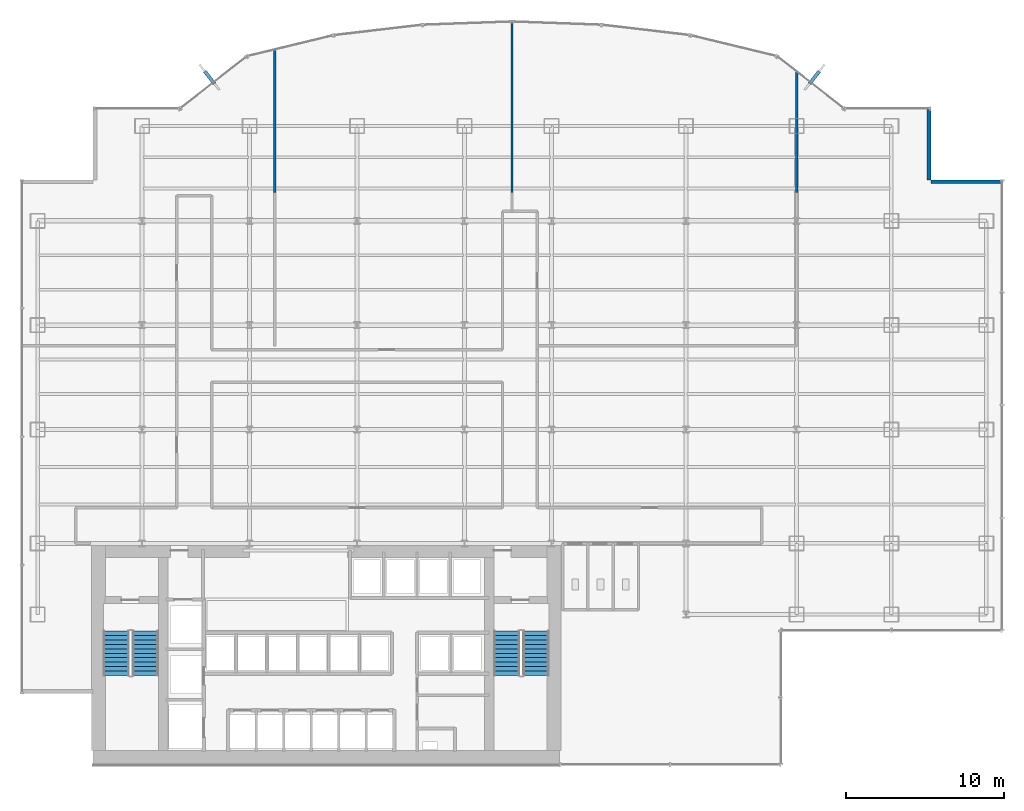
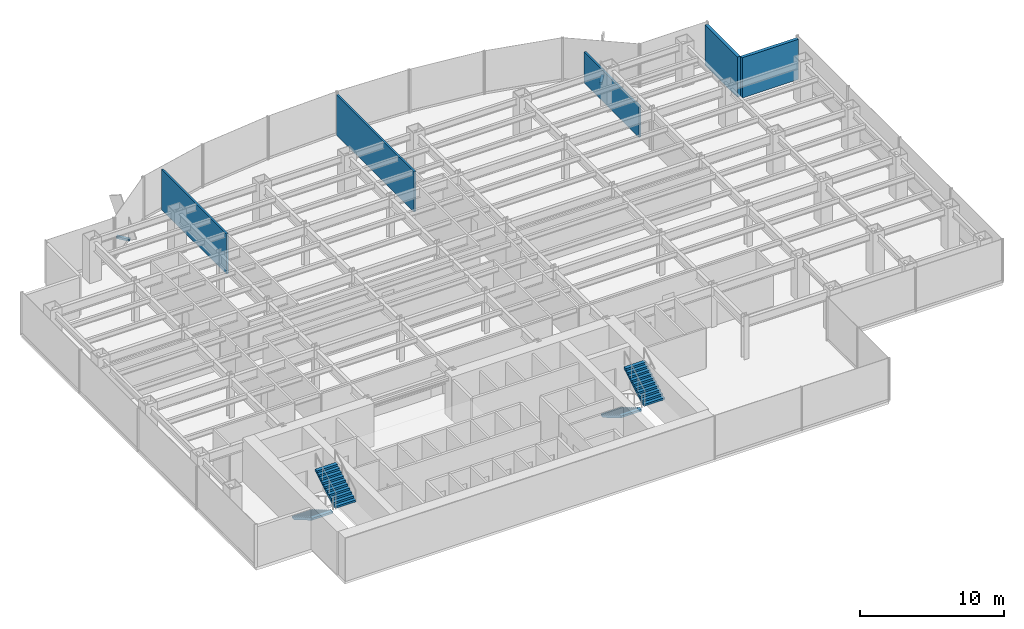
# One storey, part 20 of 23: 5 walls, 4 stair flights, 2 discrete accessories, 2 elements without a shape of their own.
"""IFC4 building model written with IfcOpenShell, lengths in metres."""

import ifcopenshell
import ifcopenshell.guid

model = None  # the IFC model being written
_history = None  # IfcOwnerHistory: only IFC2X3 demands one
_inside = {}  # id of a spatial element -> (the spatial element, [elements in it])
_under = {}  # id of a project, library or spatial element -> (it, [spatial elements below it])
_declared = {}  # id of a project -> (the project, [libraries it declares])
_typed = {}  # id of a type object -> (the type object, [elements of that type])
_made_of = {}  # id of a material, layer set ... -> (it, [elements and type objects made of it])


def new_model(schema):
    """Start an empty IFC model of exactly this schema.

    Asked for "IFC4X3", IfcOpenShell would pick the latest addendum, in which some entities
    have other attributes; the version numbers below select the first issue.
    IFC2X3 requires an IfcOwnerHistory on every rooted entity: one is made here for all.
    """
    global model, _history
    if schema == "IFC4X3":
        model = ifcopenshell.file(schema_version=(4, 3, 0, 0))
    else:
        model = ifcopenshell.file(schema=schema)
    _inside.clear()
    _under.clear()
    _declared.clear()
    _typed.clear()
    _made_of.clear()
    _history = None
    if model.schema == "IFC2X3":
        org = make("IfcOrganization", Name="unknown")
        user = make(
            "IfcPersonAndOrganization",
            ThePerson=make("IfcPerson", FamilyName="unknown"),
            TheOrganization=org,
        )
        app = make(
            "IfcApplication",
            ApplicationDeveloper=org,
            Version="unknown",
            ApplicationFullName="unknown",
            ApplicationIdentifier="unknown",
        )
        _history = make(
            "IfcOwnerHistory",
            OwningUser=user,
            OwningApplication=app,
            ChangeAction="ADDED",
            CreationDate=0,
        )
    return model


def make(cls, **values):
    """One entity of the class cls with the attributes given. An attribute that is None is left unset."""
    return model.create_entity(
        cls, **{name: value for name, value in values.items() if value is not None}
    )


def rooted(cls, **values):
    """An entity with a GlobalId (a new one), such as an element, a storey or a relation."""
    return make(cls, GlobalId=ifcopenshell.guid.new(), OwnerHistory=_history, **values)


def si_unit(unit_type, name, prefix=None):
    """IfcSIUnit, for example si_unit("LENGTHUNIT", "METRE", prefix="MILLI")."""
    return make("IfcSIUnit", UnitType=unit_type, Prefix=prefix, Name=name)


def derived_unit(unit_type, elements):
    """IfcDerivedUnit: a product of units, each with its exponent."""
    return make(
        "IfcDerivedUnit",
        Elements=[
            make("IfcDerivedUnitElement", Unit=unit, Exponent=power)
            for unit, power in elements
        ],
        UnitType=unit_type,
    )


def assignment(units):
    """IfcUnitAssignment: the units of a project."""
    return None if units is None else make("IfcUnitAssignment", Units=units)


def point(xyz):
    """IfcCartesianPoint."""
    return None if xyz is None else make("IfcCartesianPoint", Coordinates=xyz)


def direction(xyz):
    """IfcDirection."""
    return None if xyz is None else make("IfcDirection", DirectionRatios=xyz)


def frame(location, z_axis=None, x_axis=None):
    """IfcAxis2Placement3D, a coordinate frame: its origin and axes. An axis left out is left unset."""
    return make(
        "IfcAxis2Placement3D",
        Location=point(location),
        Axis=direction(z_axis),
        RefDirection=direction(x_axis),
    )


def frame_2d(location, x_axis=None):
    """IfcAxis2Placement2D, a coordinate frame in the plane: its origin and x axis."""
    return make(
        "IfcAxis2Placement2D", Location=point(location), RefDirection=direction(x_axis)
    )


def origin():
    """The frame at (0, 0, 0) with its axes left unset."""
    return frame((0.0, 0.0, 0.0))


def origin_2d():
    """The frame at (0, 0) in the plane with its x axis left unset."""
    return frame_2d((0.0, 0.0))


def place(relative_to, where):
    """IfcLocalPlacement: puts the frame where relative to a parent placement (None: the world)."""
    return make(
        "IfcLocalPlacement", PlacementRelTo=relative_to, RelativePlacement=where
    )


def context(
    kind, dimensions, precision=None, world=None, true_north=None, identifier=None
):
    """IfcGeometricRepresentationContext, for example the 3D "Model" context."""
    return make(
        "IfcGeometricRepresentationContext",
        ContextIdentifier=identifier,
        ContextType=kind,
        CoordinateSpaceDimension=dimensions,
        Precision=precision,
        WorldCoordinateSystem=world,
        TrueNorth=true_north,
    )


def subcontext(parent, identifier, kind, view, scale=None):
    """IfcGeometricRepresentationSubContext, for example "Body" below "Model"."""
    return make(
        "IfcGeometricRepresentationSubContext",
        ContextIdentifier=identifier,
        ContextType=kind,
        ParentContext=parent,
        TargetScale=scale,
        TargetView=view,
    )


def project(units=None, contexts=None):
    """IfcProject with its units and contexts."""
    return rooted(
        "IfcProject",
        Name="project",
        RepresentationContexts=contexts,
        UnitsInContext=assignment(units),
    )


def spatial(cls, under=None, at=None, **own):
    """A site, building, storey or space (cls), placed at a placement, below another one or the project."""
    s = rooted(cls, ObjectPlacement=at, **own)
    if under is not None:
        _under.setdefault(under.id(), (under, []))[1].append(s)
    return s


def polyline(points):
    """IfcPolyline through the points."""
    return make("IfcPolyline", Points=[point(p) for p in points])


def profile(cls, at=None, kind="AREA", **sizes):
    """A parametric profile (cls). Its sizes go by their IFC names, for example OverallWidth=200.0."""
    return make(cls, ProfileType=kind, Position=at, **sizes)


def rectangle(**sizes):
    """IfcRectangleProfileDef."""
    return profile("IfcRectangleProfileDef", **sizes)


def outline(outer, holes=None, kind="AREA"):
    """IfcArbitraryClosedProfileDef: a profile drawn as a closed curve; with holes, ...WithVoids."""
    if holes is None:
        return make("IfcArbitraryClosedProfileDef", ProfileType=kind, OuterCurve=outer)
    return make(
        "IfcArbitraryProfileDefWithVoids",
        ProfileType=kind,
        OuterCurve=outer,
        InnerCurves=holes,
    )


def extrude(swept, where, along, depth):
    """IfcExtrudedAreaSolid: the profile swept, set in the frame where, extruded along a direction by depth."""
    return make(
        "IfcExtrudedAreaSolid",
        SweptArea=swept,
        Position=where,
        ExtrudedDirection=direction(along),
        Depth=depth,
    )


def shape(context_of_items, identifier, shape_type, items):
    """IfcShapeRepresentation: the items that make up one representation, for example the "Body"."""
    return make(
        "IfcShapeRepresentation",
        ContextOfItems=context_of_items,
        RepresentationIdentifier=identifier,
        RepresentationType=shape_type,
        Items=items,
    )


def source(mapping_origin, context_of_items, identifier, shape_type, items):
    """IfcRepresentationMap: a shape defined once, which mapped items show again and again."""
    return make(
        "IfcRepresentationMap",
        MappingOrigin=mapping_origin,
        MappedRepresentation=shape(context_of_items, identifier, shape_type, items),
    )


def transform(
    local_origin,
    x_axis=None,
    y_axis=None,
    z_axis=None,
    scale=None,
    scale2=None,
    scale3=None,
    uniform=True,
):
    """IfcCartesianTransformationOperator3D, or its non-uniform kind. x_axis, y_axis, z_axis: its Axis1, 2, 3."""
    if uniform:
        return make(
            "IfcCartesianTransformationOperator3D",
            Axis1=direction(x_axis),
            Axis2=direction(y_axis),
            LocalOrigin=point(local_origin),
            Scale=scale,
            Axis3=direction(z_axis),
        )
    return make(
        "IfcCartesianTransformationOperator3DnonUniform",
        Axis1=direction(x_axis),
        Axis2=direction(y_axis),
        LocalOrigin=point(local_origin),
        Scale=scale,
        Axis3=direction(z_axis),
        Scale2=scale2,
        Scale3=scale3,
    )


def mapped(mapping_source, mapping_target):
    """IfcMappedItem: shows the shape of a source again, moved by a transform."""
    return make(
        "IfcMappedItem", MappingSource=mapping_source, MappingTarget=mapping_target
    )


def material(Name=None, Category=None):
    """IfcMaterial."""
    return make("IfcMaterial", Name=Name, Category=Category)


def layer(
    of_material, thickness, ventilated=None, Name=None, Category=None, Priority=None
):
    """IfcMaterialLayer: one layer of a wall or slab, of a material (None: an air gap)."""
    return make(
        "IfcMaterialLayer",
        Material=of_material,
        LayerThickness=thickness,
        IsVentilated=ventilated,
        Name=Name,
        Category=Category,
        Priority=Priority,
    )


def layer_set(layers, Name=None):
    """IfcMaterialLayerSet."""
    return make("IfcMaterialLayerSet", MaterialLayers=layers, LayerSetName=Name)


def made_of(thing, what):
    """Note that an element or type object is made of a material, layer set ...; save() writes the relation."""
    if what is not None:
        _made_of.setdefault(what.id(), (what, []))[1].append(thing)
    return thing


def type_object(cls, material=None, **own):
    """A type object (cls), such as IfcWallType, which elements share."""
    return made_of(rooted(cls, **own), material)


def element(
    cls,
    number,
    at=None,
    inside=None,
    cuts=None,
    type_object=None,
    material=None,
    context=None,
    identifier="Body",
    shape_type=None,
    held_by="IfcProductDefinitionShape",
    body=None,
    shapes=None,
    **own,
):
    """One element of the class cls, such as IfcWall. Its Tag is "e" and its number.

    at: its placement. inside: the storey or other place that contains it. cuts: it is an
    opening in that element (IfcRelVoidsElement). A single representation is given by context,
    identifier, shape_type and body (its items); several are given by shapes. held_by: the class
    of the entity that holds the representations. save() writes the other relations.
    """
    e = rooted(cls, Tag="e%d" % number, ObjectPlacement=at, **own)
    if body is not None:
        shapes = [shape(context, identifier, shape_type, body)]
    if shapes is not None:
        e.Representation = make(held_by, Representations=shapes)
    if inside is not None:
        _inside.setdefault(inside.id(), (inside, []))[1].append(e)
    if cuts is not None:
        rooted(
            "IfcRelVoidsElement", RelatingBuildingElement=cuts, RelatedOpeningElement=e
        )
    if type_object is not None:
        _typed.setdefault(type_object.id(), (type_object, []))[1].append(e)
    return made_of(e, material)


def aggregate(whole, parts):
    """IfcRelAggregates: a whole, such as a stair, and the parts it consists of."""
    return rooted("IfcRelAggregates", RelatingObject=whole, RelatedObjects=parts)


def save(model, path):
    """Write the relations noted so far, then the file.

    IfcRelAggregates (storeys below a building ...), IfcRelContainedInSpatialStructure (elements
    in a storey), IfcRelDefinesByType, IfcRelAssociatesMaterial and IfcRelDeclares: one each for
    every whole, place, type object, material and project.
    """
    for whole, parts in _under.values():
        aggregate(whole, parts)
    for where, things in _inside.values():
        rooted(
            "IfcRelContainedInSpatialStructure",
            RelatedElements=things,
            RelatingStructure=where,
        )
    for kind, things in _typed.values():
        rooted("IfcRelDefinesByType", RelatedObjects=things, RelatingType=kind)
    for what, things in _made_of.values():
        rooted("IfcRelAssociatesMaterial", RelatedObjects=things, RelatingMaterial=what)
    for by, libraries in _declared.values():
        rooted("IfcRelDeclares", RelatingContext=by, RelatedDefinitions=libraries)
    model.write(path)


model = new_model("IFC4")

# Units and contexts
model_context = context("Model", 3, precision=1e-05, world=origin(), true_north=direction((0.0, 1.0)))
body_context = subcontext(model_context, "Body", "Model", "MODEL_VIEW")
ifc_project = project(units=[si_unit("LENGTHUNIT", "METRE"), si_unit("AREAUNIT", "SQUARE_METRE"), si_unit("VOLUMEUNIT", "CUBIC_METRE"), si_unit("PLANEANGLEUNIT", "RADIAN"), si_unit("MASSUNIT", "GRAM", prefix="KILO"), derived_unit("THERMALTRANSMITTANCEUNIT", [(si_unit("POWERUNIT", "WATT"), 1), (si_unit("LENGTHUNIT", "METRE"), -2), (si_unit("THERMODYNAMICTEMPERATUREUNIT", "KELVIN"), -1)])], contexts=[model_context])

# Site, building, storey
site_placement = place(None, origin())
site = spatial("IfcSite", under=ifc_project, at=site_placement, CompositionType="ELEMENT")
building_placement = place(site_placement, origin())
building = spatial("IfcBuilding", under=site, at=building_placement, Name="Skarnbrae Concourse Arena and Tower", CompositionType="ELEMENT")
storey_placement = place(building_placement, frame((0.0, 0.0, 43.449951171875)))
storey = spatial("IfcBuildingStorey", under=building, at=storey_placement, Name="L09", CompositionType="ELEMENT", Elevation=43.449951171875)

# Walls
ifc_material_1 = material(Name="Precast concrete 40 MPa (C40/50)", Category="concrete")
ifc_layer_1 = layer(ifc_material_1, 0.25)
ifc_layer_set_1 = layer_set([ifc_layer_1], Name="Precast concrete 40 MPa (C40/50)")
wall_type_1 = type_object("IfcWallType", Name="WALL-EXT-SPANDREL-250", PredefinedType="STANDARD", material=ifc_layer_set_1)
shared_shape_1 = source(origin(), body_context, "Body", "SweptSolid", [
    extrude(rectangle(XDim=4.5, YDim=0.25, at=frame_2d((2.25, 0.0))), origin(), (0.0, 0.0, 1.0), 3.400146484375),
])
for number, where, z_axis, x_axis, name in (
    (1, (62.0, 36.875, 0.0), (0.0, 0.0, 1.0), (-1.0, 0.0, 0.0), "L09 Notched corner insulated return wall 05"),
    (2, (57.375, 37.0, 0.0), (0.0, 0.0, 1.0), (0.0, 1.0, 0.0), "L09 Notched corner insulated return wall 06"),
):
    element("IfcWall", number, at=place(storey_placement, frame(where, z_axis=z_axis, x_axis=x_axis)), inside=storey, type_object=wall_type_1, Name=name, PredefinedType="STANDARD", context=body_context, shape_type="MappedRepresentation", body=[
        mapped(shared_shape_1, transform((0.0, 0.0, 0.0))),
    ])
ifc_material_2 = material(Name="Gypsum board on cold-formed steel studs", Category="steel")
ifc_layer_2 = layer(ifc_material_2, 0.14990234375)
ifc_layer_set_2 = layer_set([ifc_layer_2], Name="Gypsum board on cold-formed steel studs")
wall_type_2 = type_object("IfcWallType", Name="WALL-PART-150", PredefinedType="PARTITIONING", material=ifc_layer_set_2)
shared_shape_2 = source(origin(), body_context, "Body", "SweptSolid", [
    extrude(rectangle(XDim=9.018310546875, YDim=0.14990234375, at=frame_2d((4.50927734375, 0.0))), origin(), (0.0, 0.0, 1.0), 3.400146484375),
])
wall_1_placement = place(storey_placement, frame((16.0, 45.21826171875, 0.0), z_axis=(0.0, 0.0, 1.0), x_axis=(0.0, -1.0, 0.0)))
element("IfcWall", 3, at=wall_1_placement, inside=storey, type_object=wall_type_2, Name="L09 Interior partition wall W-L09-DEM-23", PredefinedType="PARTITIONING", context=body_context, shape_type="MappedRepresentation", body=[
    mapped(shared_shape_2, transform((0.0, 0.0, 0.0))),
])
shared_shape_3 = source(origin(), body_context, "Body", "SweptSolid", [
    extrude(rectangle(XDim=10.780029296875, YDim=0.14990234375, at=frame_2d((5.39013671875, 0.0))), origin(), (0.0, 0.0, 1.0), 3.400146484375),
])
wall_2_placement = place(storey_placement, frame((31.0, 46.97998046875, 0.0), z_axis=(0.0, 0.0, 1.0), x_axis=(0.0, -1.0, 0.0)))
element("IfcWall", 4, at=wall_2_placement, inside=storey, type_object=wall_type_2, Name="L09 Interior partition wall W-L09-DEM-25", PredefinedType="PARTITIONING", context=body_context, shape_type="MappedRepresentation", body=[
    mapped(shared_shape_3, transform((0.0, 0.0, 0.0))),
])
shared_shape_4 = source(origin(), body_context, "Body", "SweptSolid", [
    extrude(rectangle(XDim=7.621337890625, YDim=0.14990234375, at=frame_2d((3.810546875, 0.0))), origin(), (0.0, 0.0, 1.0), 2.625),
])
wall_3_placement = place(storey_placement, frame((49.0, 43.8212890625, 0.0), z_axis=(0.0, 0.0, 1.0), x_axis=(0.0, -1.0, 0.0)))
element("IfcWall", 5, at=wall_3_placement, inside=storey, type_object=wall_type_2, Name="L09 Interior partition wall W-L09-DEM-27", PredefinedType="PARTITIONING", context=body_context, shape_type="MappedRepresentation", body=[
    mapped(shared_shape_4, transform((0.0, 0.0, 0.0))),
])

# Stair, stair flights
ifc_material_3 = material(Name="Concrete 40 MPa (C40/50)", Category="concrete")
stair_type = type_object("IfcStairType", Name="STAIR-DOGLEG-1650", PredefinedType="HALF_TURN_STAIR", material=ifc_material_3)
stair_1_placement = place(storey_placement, origin())
stair_1 = element("IfcStair", 6, at=stair_1_placement, inside=storey, type_object=stair_type, Name="L09 Protected Exit Stair ST-1", PredefinedType="HALF_TURN_STAIR")
stair_flight_type = type_object("IfcStairFlightType", Name="FLIGHT-STRAIGHT-1650", PredefinedType="STRAIGHT", material=ifc_material_3)
shared_shape_5 = source(origin(), body_context, "Body", "SweptSolid", [
    extrude(outline(polyline([(0.0, 0.0), (0.0, 0.166015625), (0.280029296875, 0.166015625), (0.280029296875, 0.331787109375), (0.56005859375, 0.331787109375), (0.56005859375, 0.497802734375), (0.840087890625, 0.497802734375), (0.840087890625, 0.66357421875), (1.1201171875, 0.66357421875), (1.1201171875, 0.82958984375), (1.39990234375, 0.82958984375), (1.39990234375, 0.995361328125), (1.679931640625, 0.995361328125), (1.679931640625, 1.161376953125), (1.9599609375, 1.161376953125), (1.9599609375, 1.327392578125), (2.239990234375, 1.327392578125), (2.239990234375, 1.4931640625), (2.52001953125, 1.4931640625), (2.52001953125, 1.6591796875), (2.800048828125, 1.6591796875), (2.800048828125, 1.824951171875), (2.800048828125, 1.48486328125), (0.2939453125, 0.0), (0.0, 0.0)])), frame((0.0, 0.824951171875, 0.0), z_axis=(0.0, -1.0, 0.0), x_axis=(1.0, 0.0, 0.0)), (0.0, 0.0, 1.0), 1.64990234375),
])
stair_flight_1_placement = place(storey_placement, frame((5.97509765625, 8.449951171875, 0.0), z_axis=(0.0, 0.0, 1.0), x_axis=(0.0, -1.0, 0.0)))
stair_flight_1 = element("IfcStairFlight", 7, at=stair_flight_1_placement, type_object=stair_flight_type, Name="ST-1 flight 1", NumberOfRisers=11, NumberOfTreads=10, PredefinedType="STRAIGHT", RiserHeight=0.165909091, TreadLength=0.28, context=body_context, shape_type="MappedRepresentation", body=[
    mapped(shared_shape_5, transform((0.0, 0.0, 0.0))),
])
stair_flight_2_placement = place(storey_placement, frame((7.824951171875, 5.64990234375, 1.824951171875), z_axis=(0.0, 0.0, 1.0), x_axis=(0.0, 1.0, 0.0)))
stair_flight_2 = element("IfcStairFlight", 8, at=stair_flight_2_placement, type_object=stair_flight_type, Name="ST-1 flight 2", NumberOfRisers=11, NumberOfTreads=10, PredefinedType="STRAIGHT", RiserHeight=0.165909091, TreadLength=0.28, context=body_context, shape_type="MappedRepresentation", body=[
    mapped(shared_shape_5, transform((0.0, 0.0, 0.0))),
])
aggregate(stair_1, [stair_flight_1, stair_flight_2])

stair_2_placement = place(storey_placement, origin())
stair_2 = element("IfcStair", 9, at=stair_2_placement, inside=storey, type_object=stair_type, Name="L09 Protected Exit Stair ST-2", PredefinedType="HALF_TURN_STAIR")
stair_flight_3_placement = place(storey_placement, frame((30.675048828125, 8.449951171875, 0.0), z_axis=(0.0, 0.0, 1.0), x_axis=(0.0, -1.0, 0.0)))
stair_flight_3 = element("IfcStairFlight", 10, at=stair_flight_3_placement, type_object=stair_flight_type, Name="ST-2 flight 1", NumberOfRisers=11, NumberOfTreads=10, PredefinedType="STRAIGHT", RiserHeight=0.165909091, TreadLength=0.28, context=body_context, shape_type="MappedRepresentation", body=[
    mapped(shared_shape_5, transform((0.0, 0.0, 0.0))),
])
stair_flight_4_placement = place(storey_placement, frame((32.52490234375, 5.64990234375, 1.824951171875), z_axis=(0.0, 0.0, 1.0), x_axis=(0.0, 1.0, 0.0)))
stair_flight_4 = element("IfcStairFlight", 11, at=stair_flight_4_placement, type_object=stair_flight_type, Name="ST-2 flight 2", NumberOfRisers=11, NumberOfTreads=10, PredefinedType="STRAIGHT", RiserHeight=0.165909091, TreadLength=0.28, context=body_context, shape_type="MappedRepresentation", body=[
    mapped(shared_shape_5, transform((0.0, 0.0, 0.0))),
])
aggregate(stair_2, [stair_flight_3, stair_flight_4])

# Discrete accessories
ifc_material_4 = material(Name="Bronze anodised aluminium 6063-T6", Category="aluminium")
discrete_accessory_type = type_object("IfcDiscreteAccessoryType", Name="ACC-FIN-BRACKET", PredefinedType="BRACKET", material=ifc_material_4)
shared_shape_6 = source(origin(), body_context, "Body", "SweptSolid", [
    extrude(rectangle(XDim=0.219970703125, YDim=0.97998046875, at=origin_2d()), origin(), (0.0, 0.0, 1.0), 0.179931640625),
])
for number, where, z_axis, x_axis, name in (
    (12, (50.129638671875, 43.470947265625, -0.02978515625), (0.0, 0.0, 1.0), (0.787656027369, -0.616115234797, 0.0), "L09 Bronze fin foot support bracket 08"),
    (13, (11.870361328125, 43.470947265625, -0.02978515625), (0.0, 0.0, 1.0), (0.787656027369, 0.616115234797, 0.0), "L09 Bronze fin foot support bracket 15"),
):
    element("IfcDiscreteAccessory", number, at=place(storey_placement, frame(where, z_axis=z_axis, x_axis=x_axis)), inside=storey, type_object=discrete_accessory_type, Name=name, PredefinedType="BRACKET", context=body_context, shape_type="MappedRepresentation", body=[
        mapped(shared_shape_6, transform((0.0, 0.0, 0.0))),
    ])

save(model, "model.ifc")
